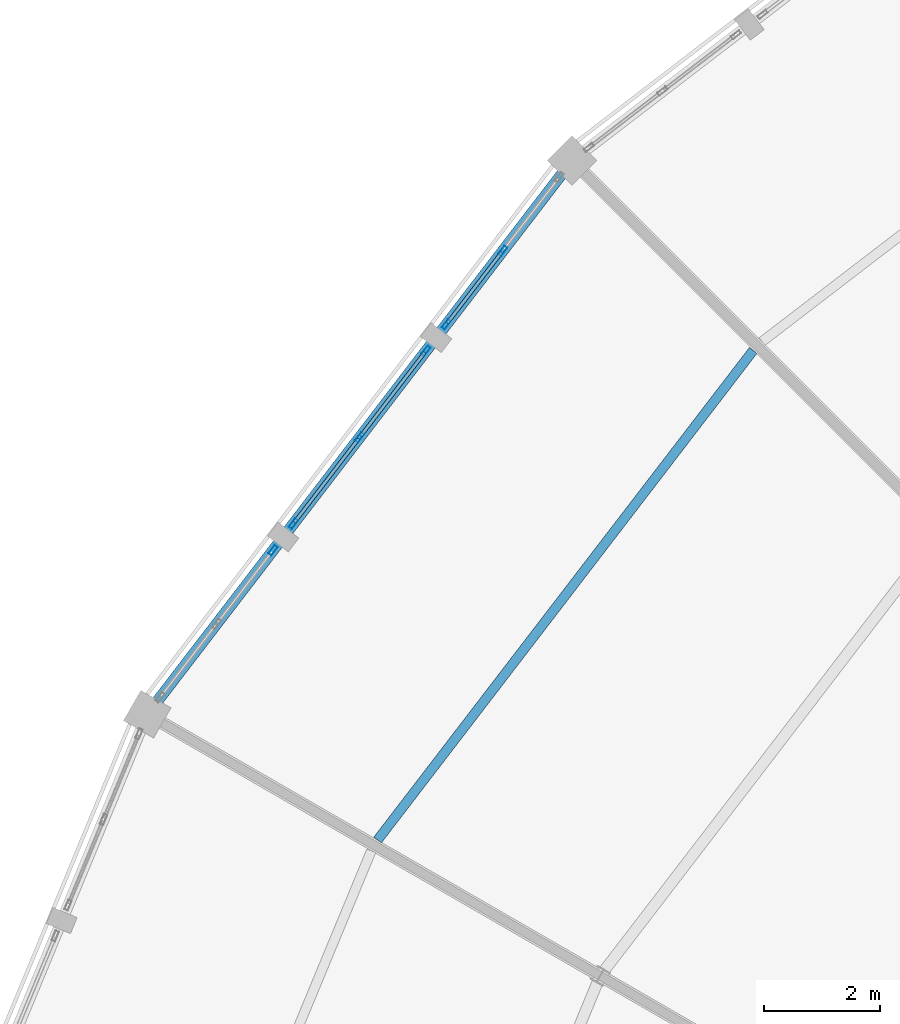
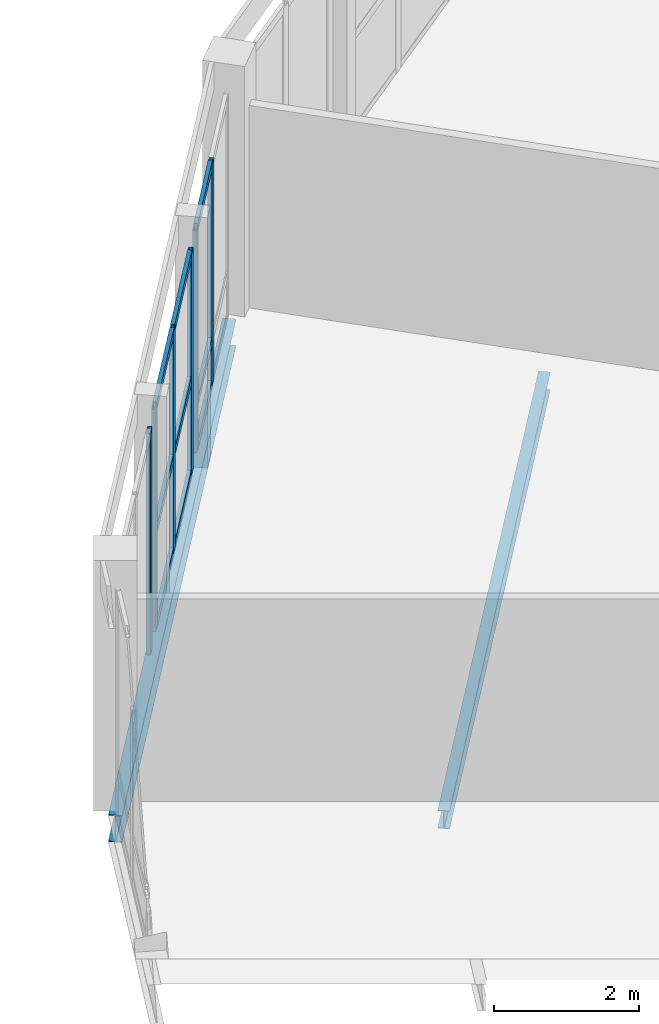
# One storey, part 81 of 185: 15 members, 2 beams, 3 elements without a shape of their own.
"""IFC4 building model written with IfcOpenShell, lengths in metres."""

from ifc_helpers import new_model, si_unit, direction, frame, origin, origin_2d, place, context, subcontext, project, spatial, hollow_rectangle, i_section, extrude, material, material_profile, profile_set, type_object, element, aggregate, save


model = new_model("IFC4")

# Units and contexts
model_context = context("Model", 3, precision=1e-05, world=origin(), true_north=direction((0.0, 1.0)))
body_context = subcontext(model_context, "Body", "Model", "MODEL_VIEW")
ifc_project = project(units=[si_unit("LENGTHUNIT", "METRE"), si_unit("AREAUNIT", "SQUARE_METRE"), si_unit("VOLUMEUNIT", "CUBIC_METRE"), si_unit("PLANEANGLEUNIT", "RADIAN"), si_unit("MASSUNIT", "GRAM", prefix="KILO")], contexts=[model_context])

# Site, building, storey
site_placement = place(None, origin())
site = spatial("IfcSite", under=ifc_project, at=site_placement, CompositionType="ELEMENT")
building_placement = place(site_placement, origin())
building = spatial("IfcBuilding", under=site, at=building_placement, Name="Vondelvale Polytechnic", CompositionType="ELEMENT")
storey_placement = place(building_placement, frame((0.0, 0.0, 9.60009765625)))
storey = spatial("IfcBuildingStorey", under=building, at=storey_placement, Name="L02", CompositionType="ELEMENT", Elevation=9.60009765625)

# Beam
ifc_material_1 = material(Name="Steel 300PLUS (fy = 300 MPa)", Category="steel")
ifc_material_profile_1 = material_profile(ifc_material_1, i_section(OverallWidth=0.18994140625, OverallDepth=0.45703125, WebThickness=0.009033203125, FlangeThickness=0.014404296875, FilletRadius=0.011474609375, at=origin_2d()), Name="460UB74.6")
ifc_profile_set_1 = profile_set([ifc_material_profile_1], Name="Steel 300PLUS (fy = 300 MPa)")
beam_type_1 = type_object("IfcBeamType", Name="BM-UB460", PredefinedType="BEAM", material=ifc_profile_set_1)
beam_1_placement = place(storey_placement, frame((69.47314453125, 104.52685546875, -0.508544921875), z_axis=(-0.608766116008, -0.793349743808, 0.0), x_axis=(0.793349743808, -0.608766116008, 0.0)))
element("IfcBeam", 1, at=beam_1_placement, inside=storey, type_object=beam_type_1, Name="L02 RB B-13", PredefinedType="BEAM", context=body_context, shape_type="SweptSolid", body=[
    extrude(i_section(OverallWidth=0.18994140625, OverallDepth=0.45703125, WebThickness=0.009033203125, FlangeThickness=0.014404296875, FilletRadius=0.011474609375, at=origin_2d()), origin(), (0.0, 0.0, 1.0), 12.00830078125),
])

# Curtain wall, members
ifc_material_2 = material(Name="Glulam GL18 structural Tasmanian oak (fb = 42 MPa)", Category="wood")
curtain_wall_type = type_object("IfcCurtainWallType", Name="CW-RING-OUTER", PredefinedType="NOTDEFINED", material=ifc_material_2)
curtain_wall_1_placement = place(storey_placement, origin())
curtain_wall_1 = element("IfcCurtainWall", 2, at=curtain_wall_1_placement, inside=storey, type_object=curtain_wall_type, Name="L02 architectural curtain wall CW-04-218", PredefinedType="NOTDEFINED")
ifc_material_3 = material(Name="Anodised extruded aluminium 6063-T6", Category="aluminium")
ifc_material_profile_2 = material_profile(ifc_material_3, hollow_rectangle(XDim=0.06494140625, YDim=0.179931640625, WallThickness=0.00390625, at=origin_2d()), Name="CW-MUL-180x65")
ifc_profile_set_2 = profile_set([ifc_material_profile_2], Name="Anodised extruded aluminium 6063-T6")
member_type_1 = type_object("IfcMemberType", Name="CW-MUL-65x180", PredefinedType="MULLION", material=ifc_profile_set_2)
member_1_placement = place(storey_placement, frame((68.27978515625, 102.9716796875, 0.0), z_axis=(0.0, 0.0, 1.0), x_axis=(0.793333825656, -0.608786860133, 0.0)))
member_1 = element("IfcMember", 3, at=member_1_placement, type_object=member_type_1, Name="CW-04-218 mullion 2", PredefinedType="MULLION", context=body_context, shape_type="SweptSolid", body=[
    extrude(hollow_rectangle(XDim=0.06494140625, YDim=0.179931640625, WallThickness=0.00390625, at=origin_2d()), origin(), (0.0, 0.0, 1.0), 3.719970703125),
])
member_2_placement = place(storey_placement, frame((67.308837890625, 101.706298828125, 0.0), z_axis=(0.0, 0.0, 1.0), x_axis=(0.793333825656, -0.608786860133, 0.0)))
member_2 = element("IfcMember", 4, at=member_2_placement, type_object=member_type_1, Name="CW-04-218 mullion 3", PredefinedType="MULLION", context=body_context, shape_type="SweptSolid", body=[
    extrude(hollow_rectangle(XDim=0.06494140625, YDim=0.179931640625, WallThickness=0.00390625, at=origin_2d()), origin(), (0.0, 0.0, 1.0), 3.719970703125),
])

curtain_wall_2_placement = place(storey_placement, origin())
curtain_wall_2 = element("IfcCurtainWall", 5, at=curtain_wall_2_placement, inside=storey, type_object=curtain_wall_type, Name="L02 architectural curtain wall CW-04-219", PredefinedType="NOTDEFINED")
member_3_placement = place(storey_placement, frame((66.958740234375, 101.250244140625, 0.0), z_axis=(0.0, 0.0, 1.0), x_axis=(0.793345851043, -0.608771189063, 0.0)))
member_3 = element("IfcMember", 6, at=member_3_placement, type_object=member_type_1, Name="CW-04-219 mullion 1", PredefinedType="MULLION", context=body_context, shape_type="SweptSolid", body=[
    extrude(hollow_rectangle(XDim=0.06494140625, YDim=0.179931640625, WallThickness=0.00390625, at=origin_2d()), origin(), (0.0, 0.0, 1.0), 3.719970703125),
])
member_4_placement = place(storey_placement, frame((65.81787109375, 99.763427734375, 0.0), z_axis=(0.0, 0.0, 1.0), x_axis=(0.793345851043, -0.608771189063, 0.0)))
member_4 = element("IfcMember", 7, at=member_4_placement, type_object=member_type_1, Name="CW-04-219 mullion 2", PredefinedType="MULLION", context=body_context, shape_type="SweptSolid", body=[
    extrude(hollow_rectangle(XDim=0.06494140625, YDim=0.179931640625, WallThickness=0.00390625, at=origin_2d()), origin(), (0.0, 0.0, 1.0), 3.719970703125),
])
member_5_placement = place(storey_placement, frame((64.677001953125, 98.276611328125, 0.0), z_axis=(0.0, 0.0, 1.0), x_axis=(0.793345851043, -0.608771189063, 0.0)))
member_5 = element("IfcMember", 8, at=member_5_placement, type_object=member_type_1, Name="CW-04-219 mullion 3", PredefinedType="MULLION", context=body_context, shape_type="SweptSolid", body=[
    extrude(hollow_rectangle(XDim=0.06494140625, YDim=0.179931640625, WallThickness=0.00390625, at=origin_2d()), origin(), (0.0, 0.0, 1.0), 3.719970703125),
])

# Curtain wall, member
curtain_wall_3_placement = place(storey_placement, origin())
curtain_wall_3 = element("IfcCurtainWall", 9, at=curtain_wall_3_placement, inside=storey, type_object=curtain_wall_type, Name="L02 architectural curtain wall CW-04-220", PredefinedType="NOTDEFINED")
member_6_placement = place(storey_placement, frame((64.3271484375, 97.820556640625, 0.0), z_axis=(0.0, 0.0, 1.0), x_axis=(0.793333825656, -0.608786860133, 0.0)))
member_6 = element("IfcMember", 10, at=member_6_placement, type_object=member_type_1, Name="CW-04-220 mullion 1", PredefinedType="MULLION", context=body_context, shape_type="SweptSolid", body=[
    extrude(hollow_rectangle(XDim=0.06494140625, YDim=0.179931640625, WallThickness=0.00390625, at=origin_2d()), origin(), (0.0, 0.0, 1.0), 3.719970703125),
])
aggregate(curtain_wall_3, [member_6])

# Member
ifc_material_profile_3 = material_profile(ifc_material_3, hollow_rectangle(XDim=0.06005859375, YDim=0.139892578125, WallThickness=0.00341796875, at=origin_2d()), Name="CW-TRN-140x60")
ifc_profile_set_3 = profile_set([ifc_material_profile_3], Name="Anodised extruded aluminium 6063-T6")
member_type_2 = type_object("IfcMemberType", Name="CW-TRN-60x140", PredefinedType="USERDEFINED", material=ifc_profile_set_3)
member_7_placement = place(storey_placement, frame((68.260009765625, 102.946044921875, 0.02978515625), z_axis=(-0.608746385664, -0.793364883229, 0.0), x_axis=(0.793364883229, -0.608746385664, 0.0)))
member_7 = element("IfcMember", 11, at=member_7_placement, type_object=member_type_2, Name="CW-04-218 transom 2.1", ObjectType="TRANSOM", PredefinedType="USERDEFINED", context=body_context, shape_type="SweptSolid", body=[
    extrude(hollow_rectangle(XDim=0.06005859375, YDim=0.139892578125, WallThickness=0.00341796875, at=origin_2d()), origin(), (0.0, 0.0, 1.0), 1.530029296875),
])

member_8_placement = place(storey_placement, frame((68.260009765625, 102.946044921875, 0.75), z_axis=(-0.608746385664, -0.793364883229, 0.0), x_axis=(0.793364883229, -0.608746385664, 0.0)))
member_8 = element("IfcMember", 12, at=member_8_placement, type_object=member_type_2, Name="CW-04-218 transom 2.2", ObjectType="TRANSOM", PredefinedType="USERDEFINED", context=body_context, shape_type="SweptSolid", body=[
    extrude(hollow_rectangle(XDim=0.06005859375, YDim=0.139892578125, WallThickness=0.00341796875, at=origin_2d()), origin(), (0.0, 0.0, 1.0), 1.530029296875),
])

member_9_placement = place(storey_placement, frame((68.260009765625, 102.946044921875, 3.68994140625), z_axis=(-0.608746385664, -0.793364883229, 0.0), x_axis=(0.793364883229, -0.608746385664, 0.0)))
member_9 = element("IfcMember", 13, at=member_9_placement, type_object=member_type_2, Name="CW-04-218 transom 2.3", ObjectType="TRANSOM", PredefinedType="USERDEFINED", context=body_context, shape_type="SweptSolid", body=[
    extrude(hollow_rectangle(XDim=0.06005859375, YDim=0.139892578125, WallThickness=0.00341796875, at=origin_2d()), origin(), (0.0, 0.0, 1.0), 1.530029296875),
])

aggregate(curtain_wall_1, [member_1, member_2, member_7, member_8, member_9])

member_10_placement = place(storey_placement, frame((66.93896484375, 101.224365234375, 0.02978515625), z_axis=(-0.608816809849, -0.793310842007, 0.0), x_axis=(0.793310842007, -0.608816809849, 0.0)))
member_10 = element("IfcMember", 14, at=member_10_placement, type_object=member_type_2, Name="CW-04-219 transom 1.1", ObjectType="TRANSOM", PredefinedType="USERDEFINED", context=body_context, shape_type="SweptSolid", body=[
    extrude(hollow_rectangle(XDim=0.06005859375, YDim=0.139892578125, WallThickness=0.00341796875, at=origin_2d()), origin(), (0.0, 0.0, 1.0), 1.808837890625),
])

member_11_placement = place(storey_placement, frame((66.93896484375, 101.224365234375, 1.599853515625), z_axis=(-0.608816809849, -0.793310842007, 0.0), x_axis=(0.793310842007, -0.608816809849, 0.0)))
member_11 = element("IfcMember", 15, at=member_11_placement, type_object=member_type_2, Name="CW-04-219 transom 1.2", ObjectType="TRANSOM", PredefinedType="USERDEFINED", context=body_context, shape_type="SweptSolid", body=[
    extrude(hollow_rectangle(XDim=0.06005859375, YDim=0.139892578125, WallThickness=0.00341796875, at=origin_2d()), origin(), (0.0, 0.0, 1.0), 1.808837890625),
])

member_12_placement = place(storey_placement, frame((66.93896484375, 101.224365234375, 3.68994140625), z_axis=(-0.608816809849, -0.793310842007, 0.0), x_axis=(0.793310842007, -0.608816809849, 0.0)))
member_12 = element("IfcMember", 16, at=member_12_placement, type_object=member_type_2, Name="CW-04-219 transom 1.3", ObjectType="TRANSOM", PredefinedType="USERDEFINED", context=body_context, shape_type="SweptSolid", body=[
    extrude(hollow_rectangle(XDim=0.06005859375, YDim=0.139892578125, WallThickness=0.00341796875, at=origin_2d()), origin(), (0.0, 0.0, 1.0), 1.808837890625),
])

member_13_placement = place(storey_placement, frame((65.798095703125, 99.737548828125, 0.02978515625), z_axis=(-0.608816809849, -0.793310842007, 0.0), x_axis=(0.793310842007, -0.608816809849, 0.0)))
member_13 = element("IfcMember", 17, at=member_13_placement, type_object=member_type_2, Name="CW-04-219 transom 2.1", ObjectType="TRANSOM", PredefinedType="USERDEFINED", context=body_context, shape_type="SweptSolid", body=[
    extrude(hollow_rectangle(XDim=0.06005859375, YDim=0.139892578125, WallThickness=0.00341796875, at=origin_2d()), origin(), (0.0, 0.0, 1.0), 1.808837890625),
])

member_14_placement = place(storey_placement, frame((65.798095703125, 99.737548828125, 1.599853515625), z_axis=(-0.608816809849, -0.793310842007, 0.0), x_axis=(0.793310842007, -0.608816809849, 0.0)))
member_14 = element("IfcMember", 18, at=member_14_placement, type_object=member_type_2, Name="CW-04-219 transom 2.2", ObjectType="TRANSOM", PredefinedType="USERDEFINED", context=body_context, shape_type="SweptSolid", body=[
    extrude(hollow_rectangle(XDim=0.06005859375, YDim=0.139892578125, WallThickness=0.00341796875, at=origin_2d()), origin(), (0.0, 0.0, 1.0), 1.808837890625),
])

member_15_placement = place(storey_placement, frame((65.798095703125, 99.737548828125, 3.68994140625), z_axis=(-0.608816809849, -0.793310842007, 0.0), x_axis=(0.793310842007, -0.608816809849, 0.0)))
member_15 = element("IfcMember", 19, at=member_15_placement, type_object=member_type_2, Name="CW-04-219 transom 2.3", ObjectType="TRANSOM", PredefinedType="USERDEFINED", context=body_context, shape_type="SweptSolid", body=[
    extrude(hollow_rectangle(XDim=0.06005859375, YDim=0.139892578125, WallThickness=0.00341796875, at=origin_2d()), origin(), (0.0, 0.0, 1.0), 1.808837890625),
])

aggregate(curtain_wall_2, [member_3, member_4, member_5, member_10, member_11, member_12, member_13, member_14, member_15])

# Beam
ifc_material_profile_4 = material_profile(ifc_material_1, i_section(OverallWidth=0.1650390625, OverallDepth=0.303955078125, WebThickness=0.006103515625, FlangeThickness=0.01025390625, FilletRadius=0.011474609375, at=origin_2d()), Name="310UB40.4")
ifc_profile_set_4 = profile_set([ifc_material_profile_4], Name="Steel 300PLUS (fy = 300 MPa)")
beam_type_2 = type_object("IfcBeamType", Name="JST-UB310", PredefinedType="JOIST", material=ifc_profile_set_4)
beam_2_placement = place(storey_placement, frame((72.588134765625, 101.257568359375, -0.43212890625), z_axis=(-0.608770977523, -0.793346013368, 0.0), x_axis=(0.793346013368, -0.608770977523, 0.0)))
element("IfcBeam", 20, at=beam_2_placement, inside=storey, type_object=beam_type_2, Name="L02 RJ J-05", PredefinedType="JOIST", context=body_context, shape_type="SweptSolid", body=[
    extrude(i_section(OverallWidth=0.1650390625, OverallDepth=0.303955078125, WebThickness=0.006103515625, FlangeThickness=0.01025390625, FilletRadius=0.011474609375, at=origin_2d()), origin(), (0.0, 0.0, 1.0), 10.613525390625),
])

save(model, "model.ifc")
